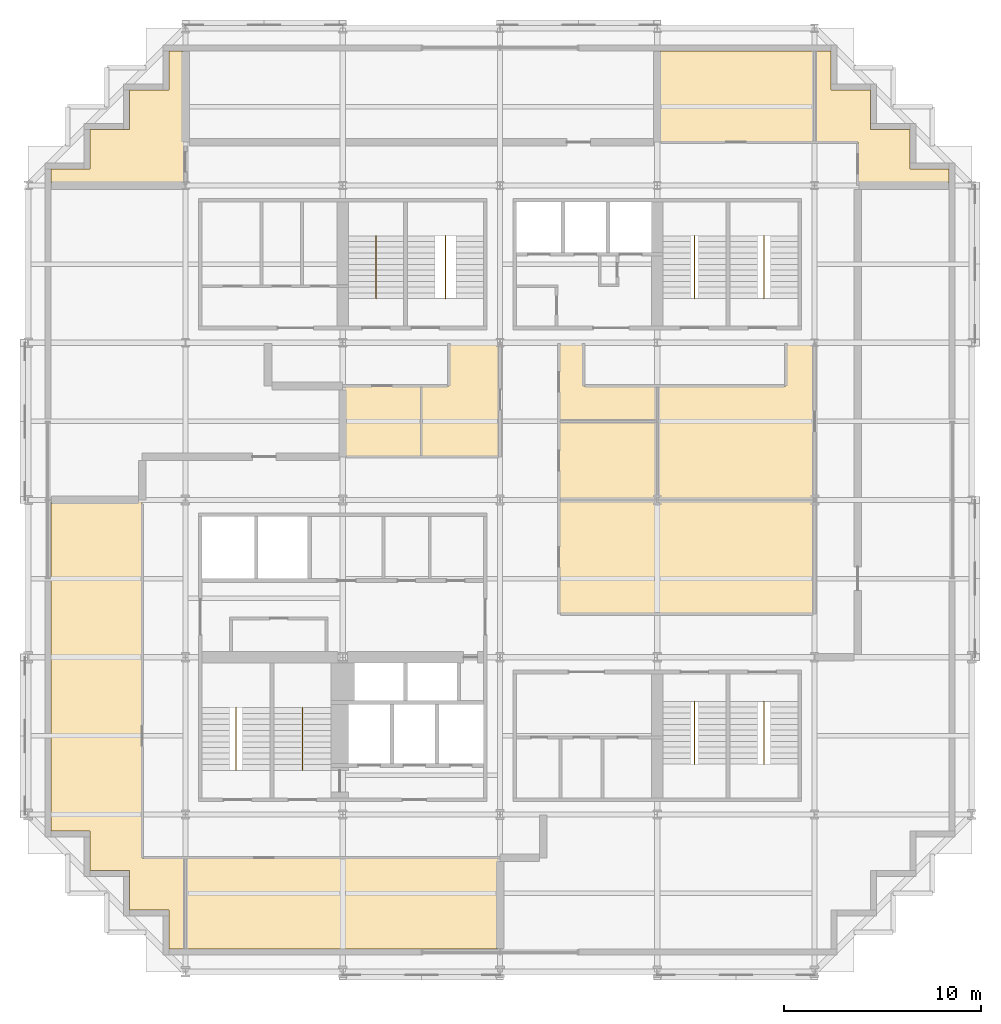
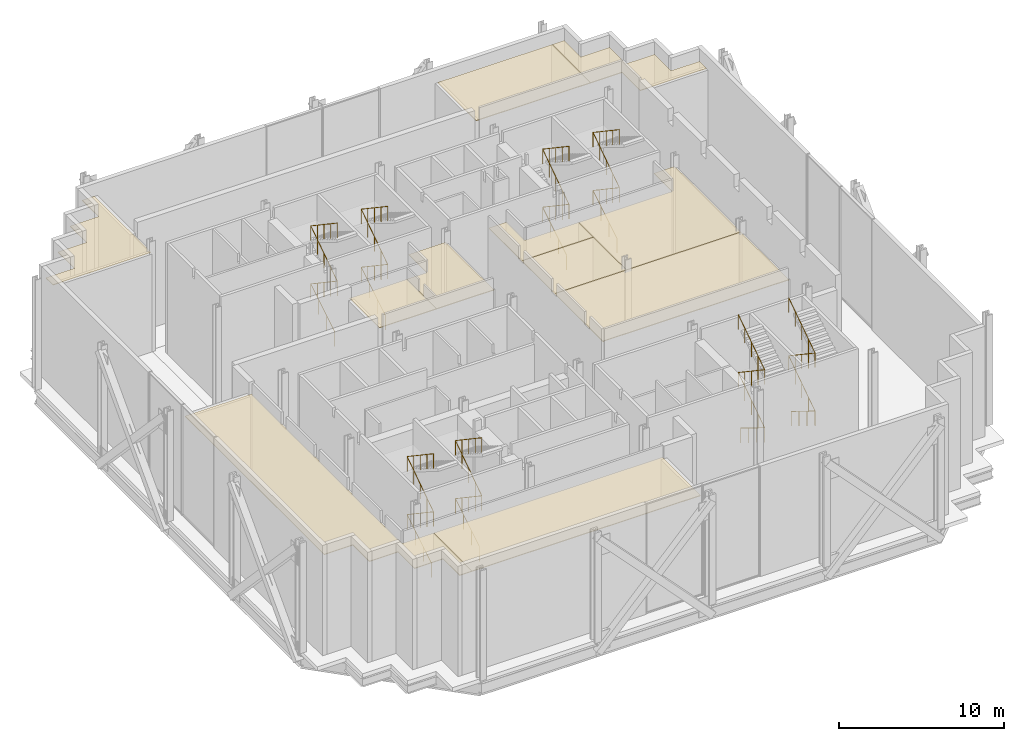
# One storey, part 13 of 13: 11 coverings, 8 railings.
"""IFC4 building model written with IfcOpenShell, lengths in metres."""

from ifc_helpers import new_model, si_unit, direction, frame, origin, origin_2d, place, context, subcontext, project, spatial, polyline, circle, outline, extrude, material, layer, layer_set, type_object, element, save


model = new_model("IFC4")

# Units and contexts
model_context = context("Model", 3, precision=1e-05, world=origin(), true_north=direction((0.0, 1.0)))
body_context = subcontext(model_context, "Body", "Model", "MODEL_VIEW")
ifc_project = project(units=[si_unit("LENGTHUNIT", "METRE"), si_unit("AREAUNIT", "SQUARE_METRE"), si_unit("VOLUMEUNIT", "CUBIC_METRE"), si_unit("PLANEANGLEUNIT", "RADIAN"), si_unit("MASSUNIT", "GRAM", prefix="KILO")], contexts=[model_context])

# Site, building, storey
site_placement = place(None, origin())
site = spatial("IfcSite", under=ifc_project, at=site_placement, CompositionType="ELEMENT")
building_placement = place(site_placement, origin())
building = spatial("IfcBuilding", under=site, at=building_placement, Name="Immortelle Media Tower", CompositionType="ELEMENT")
storey_placement = place(building_placement, frame((0.0, 0.0, 21.0)))
storey = spatial("IfcBuildingStorey", under=building, at=storey_placement, Name="L02", CompositionType="ELEMENT", Elevation=21.0)

# Railings
ifc_material_1 = material(Name="Stainless steel AISI 316", Category="steel")
railing_type = type_object("IfcRailingType", Name="Stair guard 1100", PredefinedType="GUARDRAIL", material=ifc_material_1)
railing_1_placement = place(storey_placement, frame((10.574951171875, 10.5400390625, 0.1787109375)))
element("IfcRailing", 1, at=railing_1_placement, inside=storey, type_object=railing_type, Name="Stair guard SW1", PredefinedType="GUARDRAIL", context=body_context, shape_type="SweptSolid", body=[
    extrude(circle(Radius=0.02392578125, at=origin_2d()), frame((0.0, 0.0, 1.076171875), z_axis=(0.0, 0.851291455255, 0.524693108598), x_axis=(-1.0, 0.0, 0.0)), (0.0, 0.0, 1.0), 3.406494140625),
    extrude(circle(Radius=0.02392578125, at=origin_2d()), frame((0.0, 2.89990234375, 2.86328125), z_axis=(0.0, -0.82989428836, 0.557920666536), x_axis=(1.0, 0.0, 0.0)), (0.0, 0.0, 1.0), 3.84375),
    extrude(circle(Radius=0.02392578125, at=origin_2d()), frame((0.0, -0.2900390625, 5.0078125), z_axis=(0.0, 0.829864879582, 0.557964408934), x_axis=(-1.0, 0.0, 0.0)), (0.0, 0.0, 1.0), 3.843994140625),
    extrude(circle(Radius=0.02392578125, at=origin_2d()), frame((0.0, 2.89990234375, 7.15283203125), z_axis=(0.0, -0.82989428836, 0.557920666536), x_axis=(1.0, 0.0, 0.0)), (0.0, 0.0, 1.0), 3.84375),
    extrude(circle(Radius=0.02099609375, at=origin_2d()), origin(), (0.0, 0.0, 1.0), 1.052001953125),
    extrude(circle(Radius=0.02099609375, at=origin_2d()), frame((0.0, 0.966552734375, 0.595703125)), (0.0, 0.0, 1.0), 1.052001953125),
    extrude(circle(Radius=0.02099609375, at=origin_2d()), frame((0.0, 1.933349609375, 1.191650390625)), (0.0, 0.0, 1.0), 1.052001953125),
    extrude(circle(Radius=0.02099609375, at=origin_2d()), frame((0.0, 2.89990234375, 1.787353515625)), (0.0, 0.0, 1.0), 1.052001953125),
    extrude(circle(Radius=0.02099609375, at=origin_2d()), frame((0.0, 2.1025390625, 2.323486328125)), (0.0, 0.0, 1.0), 1.052001953125),
    extrude(circle(Radius=0.02099609375, at=origin_2d()), frame((0.0, 1.304931640625, 2.859619140625)), (0.0, 0.0, 1.0), 1.052001953125),
    extrude(circle(Radius=0.02099609375, at=origin_2d()), frame((0.0, 0.50732421875, 3.395751953125)), (0.0, 0.0, 1.0), 1.052001953125),
    extrude(circle(Radius=0.02099609375, at=origin_2d()), frame((0.0, -0.2900390625, 3.931884765625)), (0.0, 0.0, 1.0), 1.052001953125),
    extrude(circle(Radius=0.02099609375, at=origin_2d()), frame((0.0, 0.50732421875, 4.468017578125)), (0.0, 0.0, 1.0), 1.052001953125),
    extrude(circle(Radius=0.02099609375, at=origin_2d()), frame((0.0, 1.304931640625, 5.00439453125)), (0.0, 0.0, 1.0), 1.052001953125),
    extrude(circle(Radius=0.02099609375, at=origin_2d()), frame((0.0, 2.1025390625, 5.54052734375)), (0.0, 0.0, 1.0), 1.052001953125),
    extrude(circle(Radius=0.02099609375, at=origin_2d()), frame((0.0, 2.89990234375, 6.07666015625)), (0.0, 0.0, 1.0), 1.052001953125),
    extrude(circle(Radius=0.02099609375, at=origin_2d()), frame((0.0, 2.1025390625, 6.61279296875)), (0.0, 0.0, 1.0), 1.052001953125),
    extrude(circle(Radius=0.02099609375, at=origin_2d()), frame((0.0, 1.304931640625, 7.14892578125)), (0.0, 0.0, 1.0), 1.052001953125),
    extrude(circle(Radius=0.02099609375, at=origin_2d()), frame((0.0, 0.50732421875, 7.68505859375)), (0.0, 0.0, 1.0), 1.052001953125),
    extrude(circle(Radius=0.02099609375, at=origin_2d()), frame((0.0, -0.2900390625, 8.22119140625)), (0.0, 0.0, 1.0), 1.052001953125),
])
railing_2_placement = place(storey_placement, frame((13.949951171875, 10.5400390625, 0.1787109375)))
element("IfcRailing", 2, at=railing_2_placement, inside=storey, type_object=railing_type, Name="Stair guard SW2", PredefinedType="GUARDRAIL", context=body_context, shape_type="SweptSolid", body=[
    extrude(circle(Radius=0.02392578125, at=origin_2d()), frame((0.0, 0.0, 1.076171875), z_axis=(0.0, 0.851291455255, 0.524693108598), x_axis=(-1.0, 0.0, 0.0)), (0.0, 0.0, 1.0), 3.406494140625),
    extrude(circle(Radius=0.02392578125, at=origin_2d()), frame((0.0, 2.89990234375, 2.86328125), z_axis=(0.0, -0.82989428836, 0.557920666536), x_axis=(1.0, 0.0, 0.0)), (0.0, 0.0, 1.0), 3.84375),
    extrude(circle(Radius=0.02392578125, at=origin_2d()), frame((0.0, -0.2900390625, 5.0078125), z_axis=(0.0, 0.829864879582, 0.557964408934), x_axis=(-1.0, 0.0, 0.0)), (0.0, 0.0, 1.0), 3.843994140625),
    extrude(circle(Radius=0.02392578125, at=origin_2d()), frame((0.0, 2.89990234375, 7.15283203125), z_axis=(0.0, -0.82989428836, 0.557920666536), x_axis=(1.0, 0.0, 0.0)), (0.0, 0.0, 1.0), 3.84375),
    extrude(circle(Radius=0.02099609375, at=origin_2d()), origin(), (0.0, 0.0, 1.0), 1.052001953125),
    extrude(circle(Radius=0.02099609375, at=origin_2d()), frame((0.0, 0.966552734375, 0.595703125)), (0.0, 0.0, 1.0), 1.052001953125),
    extrude(circle(Radius=0.02099609375, at=origin_2d()), frame((0.0, 1.933349609375, 1.191650390625)), (0.0, 0.0, 1.0), 1.052001953125),
    extrude(circle(Radius=0.02099609375, at=origin_2d()), frame((0.0, 2.89990234375, 1.787353515625)), (0.0, 0.0, 1.0), 1.052001953125),
    extrude(circle(Radius=0.02099609375, at=origin_2d()), frame((0.0, 2.1025390625, 2.323486328125)), (0.0, 0.0, 1.0), 1.052001953125),
    extrude(circle(Radius=0.02099609375, at=origin_2d()), frame((0.0, 1.304931640625, 2.859619140625)), (0.0, 0.0, 1.0), 1.052001953125),
    extrude(circle(Radius=0.02099609375, at=origin_2d()), frame((0.0, 0.50732421875, 3.395751953125)), (0.0, 0.0, 1.0), 1.052001953125),
    extrude(circle(Radius=0.02099609375, at=origin_2d()), frame((0.0, -0.2900390625, 3.931884765625)), (0.0, 0.0, 1.0), 1.052001953125),
    extrude(circle(Radius=0.02099609375, at=origin_2d()), frame((0.0, 0.50732421875, 4.468017578125)), (0.0, 0.0, 1.0), 1.052001953125),
    extrude(circle(Radius=0.02099609375, at=origin_2d()), frame((0.0, 1.304931640625, 5.00439453125)), (0.0, 0.0, 1.0), 1.052001953125),
    extrude(circle(Radius=0.02099609375, at=origin_2d()), frame((0.0, 2.1025390625, 5.54052734375)), (0.0, 0.0, 1.0), 1.052001953125),
    extrude(circle(Radius=0.02099609375, at=origin_2d()), frame((0.0, 2.89990234375, 6.07666015625)), (0.0, 0.0, 1.0), 1.052001953125),
    extrude(circle(Radius=0.02099609375, at=origin_2d()), frame((0.0, 2.1025390625, 6.61279296875)), (0.0, 0.0, 1.0), 1.052001953125),
    extrude(circle(Radius=0.02099609375, at=origin_2d()), frame((0.0, 1.304931640625, 7.14892578125)), (0.0, 0.0, 1.0), 1.052001953125),
    extrude(circle(Radius=0.02099609375, at=origin_2d()), frame((0.0, 0.50732421875, 7.68505859375)), (0.0, 0.0, 1.0), 1.052001953125),
    extrude(circle(Radius=0.02099609375, at=origin_2d()), frame((0.0, -0.2900390625, 8.22119140625)), (0.0, 0.0, 1.0), 1.052001953125),
])
railing_3_placement = place(storey_placement, frame((33.89990234375, 13.4599609375, 0.1787109375)))
element("IfcRailing", 3, at=railing_3_placement, inside=storey, type_object=railing_type, Name="Stair guard SE1", PredefinedType="GUARDRAIL", context=body_context, shape_type="SweptSolid", body=[
    extrude(circle(Radius=0.02392578125, at=origin_2d()), frame((0.0, 0.0, 1.076171875), z_axis=(0.0, -0.851291455255, 0.524693108598), x_axis=(1.0, 0.0, 0.0)), (0.0, 0.0, 1.0), 3.406494140625),
    extrude(circle(Radius=0.02392578125, at=origin_2d()), frame((0.0, -2.89990234375, 2.86328125), z_axis=(0.0, 0.82989428836, 0.557920666536), x_axis=(-1.0, 0.0, 0.0)), (0.0, 0.0, 1.0), 3.84375),
    extrude(circle(Radius=0.02392578125, at=origin_2d()), frame((0.0, 0.2900390625, 5.0078125), z_axis=(0.0, -0.829864879582, 0.557964408934), x_axis=(1.0, 0.0, 0.0)), (0.0, 0.0, 1.0), 3.843994140625),
    extrude(circle(Radius=0.02392578125, at=origin_2d()), frame((0.0, -2.89990234375, 7.15283203125), z_axis=(0.0, 0.82989428836, 0.557920666536), x_axis=(-1.0, 0.0, 0.0)), (0.0, 0.0, 1.0), 3.84375),
    extrude(circle(Radius=0.02099609375, at=origin_2d()), origin(), (0.0, 0.0, 1.0), 1.052001953125),
    extrude(circle(Radius=0.02099609375, at=origin_2d()), frame((0.0, -0.966552734375, 0.595703125)), (0.0, 0.0, 1.0), 1.052001953125),
    extrude(circle(Radius=0.02099609375, at=origin_2d()), frame((0.0, -1.933349609375, 1.191650390625)), (0.0, 0.0, 1.0), 1.052001953125),
    extrude(circle(Radius=0.02099609375, at=origin_2d()), frame((0.0, -2.89990234375, 1.787353515625)), (0.0, 0.0, 1.0), 1.052001953125),
    extrude(circle(Radius=0.02099609375, at=origin_2d()), frame((0.0, -2.1025390625, 2.323486328125)), (0.0, 0.0, 1.0), 1.052001953125),
    extrude(circle(Radius=0.02099609375, at=origin_2d()), frame((0.0, -1.304931640625, 2.859619140625)), (0.0, 0.0, 1.0), 1.052001953125),
    extrude(circle(Radius=0.02099609375, at=origin_2d()), frame((0.0, -0.50732421875, 3.395751953125)), (0.0, 0.0, 1.0), 1.052001953125),
    extrude(circle(Radius=0.02099609375, at=origin_2d()), frame((0.0, 0.2900390625, 3.931884765625)), (0.0, 0.0, 1.0), 1.052001953125),
    extrude(circle(Radius=0.02099609375, at=origin_2d()), frame((0.0, -0.50732421875, 4.468017578125)), (0.0, 0.0, 1.0), 1.052001953125),
    extrude(circle(Radius=0.02099609375, at=origin_2d()), frame((0.0, -1.304931640625, 5.00439453125)), (0.0, 0.0, 1.0), 1.052001953125),
    extrude(circle(Radius=0.02099609375, at=origin_2d()), frame((0.0, -2.1025390625, 5.54052734375)), (0.0, 0.0, 1.0), 1.052001953125),
    extrude(circle(Radius=0.02099609375, at=origin_2d()), frame((0.0, -2.89990234375, 6.07666015625)), (0.0, 0.0, 1.0), 1.052001953125),
    extrude(circle(Radius=0.02099609375, at=origin_2d()), frame((0.0, -2.1025390625, 6.61279296875)), (0.0, 0.0, 1.0), 1.052001953125),
    extrude(circle(Radius=0.02099609375, at=origin_2d()), frame((0.0, -1.304931640625, 7.14892578125)), (0.0, 0.0, 1.0), 1.052001953125),
    extrude(circle(Radius=0.02099609375, at=origin_2d()), frame((0.0, -0.50732421875, 7.68505859375)), (0.0, 0.0, 1.0), 1.052001953125),
    extrude(circle(Radius=0.02099609375, at=origin_2d()), frame((0.0, 0.2900390625, 8.22119140625)), (0.0, 0.0, 1.0), 1.052001953125),
])
railing_4_placement = place(storey_placement, frame((37.425048828125, 13.4599609375, 0.1787109375)))
element("IfcRailing", 4, at=railing_4_placement, inside=storey, type_object=railing_type, Name="Stair guard SE2", PredefinedType="GUARDRAIL", context=body_context, shape_type="SweptSolid", body=[
    extrude(circle(Radius=0.02392578125, at=origin_2d()), frame((0.0, 0.0, 1.076171875), z_axis=(0.0, -0.851291455255, 0.524693108598), x_axis=(1.0, 0.0, 0.0)), (0.0, 0.0, 1.0), 3.406494140625),
    extrude(circle(Radius=0.02392578125, at=origin_2d()), frame((0.0, -2.89990234375, 2.86328125), z_axis=(0.0, 0.82989428836, 0.557920666536), x_axis=(-1.0, 0.0, 0.0)), (0.0, 0.0, 1.0), 3.84375),
    extrude(circle(Radius=0.02392578125, at=origin_2d()), frame((0.0, 0.2900390625, 5.0078125), z_axis=(0.0, -0.829864879582, 0.557964408934), x_axis=(1.0, 0.0, 0.0)), (0.0, 0.0, 1.0), 3.843994140625),
    extrude(circle(Radius=0.02392578125, at=origin_2d()), frame((0.0, -2.89990234375, 7.15283203125), z_axis=(0.0, 0.82989428836, 0.557920666536), x_axis=(-1.0, 0.0, 0.0)), (0.0, 0.0, 1.0), 3.84375),
    extrude(circle(Radius=0.02099609375, at=origin_2d()), origin(), (0.0, 0.0, 1.0), 1.052001953125),
    extrude(circle(Radius=0.02099609375, at=origin_2d()), frame((0.0, -0.966552734375, 0.595703125)), (0.0, 0.0, 1.0), 1.052001953125),
    extrude(circle(Radius=0.02099609375, at=origin_2d()), frame((0.0, -1.933349609375, 1.191650390625)), (0.0, 0.0, 1.0), 1.052001953125),
    extrude(circle(Radius=0.02099609375, at=origin_2d()), frame((0.0, -2.89990234375, 1.787353515625)), (0.0, 0.0, 1.0), 1.052001953125),
    extrude(circle(Radius=0.02099609375, at=origin_2d()), frame((0.0, -2.1025390625, 2.323486328125)), (0.0, 0.0, 1.0), 1.052001953125),
    extrude(circle(Radius=0.02099609375, at=origin_2d()), frame((0.0, -1.304931640625, 2.859619140625)), (0.0, 0.0, 1.0), 1.052001953125),
    extrude(circle(Radius=0.02099609375, at=origin_2d()), frame((0.0, -0.50732421875, 3.395751953125)), (0.0, 0.0, 1.0), 1.052001953125),
    extrude(circle(Radius=0.02099609375, at=origin_2d()), frame((0.0, 0.2900390625, 3.931884765625)), (0.0, 0.0, 1.0), 1.052001953125),
    extrude(circle(Radius=0.02099609375, at=origin_2d()), frame((0.0, -0.50732421875, 4.468017578125)), (0.0, 0.0, 1.0), 1.052001953125),
    extrude(circle(Radius=0.02099609375, at=origin_2d()), frame((0.0, -1.304931640625, 5.00439453125)), (0.0, 0.0, 1.0), 1.052001953125),
    extrude(circle(Radius=0.02099609375, at=origin_2d()), frame((0.0, -2.1025390625, 5.54052734375)), (0.0, 0.0, 1.0), 1.052001953125),
    extrude(circle(Radius=0.02099609375, at=origin_2d()), frame((0.0, -2.89990234375, 6.07666015625)), (0.0, 0.0, 1.0), 1.052001953125),
    extrude(circle(Radius=0.02099609375, at=origin_2d()), frame((0.0, -2.1025390625, 6.61279296875)), (0.0, 0.0, 1.0), 1.052001953125),
    extrude(circle(Radius=0.02099609375, at=origin_2d()), frame((0.0, -1.304931640625, 7.14892578125)), (0.0, 0.0, 1.0), 1.052001953125),
    extrude(circle(Radius=0.02099609375, at=origin_2d()), frame((0.0, -0.50732421875, 7.68505859375)), (0.0, 0.0, 1.0), 1.052001953125),
    extrude(circle(Radius=0.02099609375, at=origin_2d()), frame((0.0, 0.2900390625, 8.22119140625)), (0.0, 0.0, 1.0), 1.052001953125),
])
railing_5_placement = place(storey_placement, frame((17.699951171875, 34.5400390625, 0.1787109375)))
element("IfcRailing", 5, at=railing_5_placement, inside=storey, type_object=railing_type, Name="Stair guard NW1", PredefinedType="GUARDRAIL", context=body_context, shape_type="SweptSolid", body=[
    extrude(circle(Radius=0.02392578125, at=origin_2d()), frame((0.0, 0.0, 1.076171875), z_axis=(0.0, 0.851291455255, 0.524693108598), x_axis=(-1.0, 0.0, 0.0)), (0.0, 0.0, 1.0), 3.406494140625),
    extrude(circle(Radius=0.02392578125, at=origin_2d()), frame((0.0, 2.89990234375, 2.86328125), z_axis=(0.0, -0.82989428836, 0.557920666536), x_axis=(1.0, 0.0, 0.0)), (0.0, 0.0, 1.0), 3.84375),
    extrude(circle(Radius=0.02392578125, at=origin_2d()), frame((0.0, -0.2900390625, 5.0078125), z_axis=(0.0, 0.829864879582, 0.557964408934), x_axis=(-1.0, 0.0, 0.0)), (0.0, 0.0, 1.0), 3.843994140625),
    extrude(circle(Radius=0.02392578125, at=origin_2d()), frame((0.0, 2.89990234375, 7.15283203125), z_axis=(0.0, -0.82989428836, 0.557920666536), x_axis=(1.0, 0.0, 0.0)), (0.0, 0.0, 1.0), 3.84375),
    extrude(circle(Radius=0.02099609375, at=origin_2d()), origin(), (0.0, 0.0, 1.0), 1.052001953125),
    extrude(circle(Radius=0.02099609375, at=origin_2d()), frame((0.0, 0.966552734375, 0.595703125)), (0.0, 0.0, 1.0), 1.052001953125),
    extrude(circle(Radius=0.02099609375, at=origin_2d()), frame((0.0, 1.933349609375, 1.191650390625)), (0.0, 0.0, 1.0), 1.052001953125),
    extrude(circle(Radius=0.02099609375, at=origin_2d()), frame((0.0, 2.89990234375, 1.787353515625)), (0.0, 0.0, 1.0), 1.052001953125),
    extrude(circle(Radius=0.02099609375, at=origin_2d()), frame((0.0, 2.1025390625, 2.323486328125)), (0.0, 0.0, 1.0), 1.052001953125),
    extrude(circle(Radius=0.02099609375, at=origin_2d()), frame((0.0, 1.304931640625, 2.859619140625)), (0.0, 0.0, 1.0), 1.052001953125),
    extrude(circle(Radius=0.02099609375, at=origin_2d()), frame((0.0, 0.50732421875, 3.395751953125)), (0.0, 0.0, 1.0), 1.052001953125),
    extrude(circle(Radius=0.02099609375, at=origin_2d()), frame((0.0, -0.2900390625, 3.931884765625)), (0.0, 0.0, 1.0), 1.052001953125),
    extrude(circle(Radius=0.02099609375, at=origin_2d()), frame((0.0, 0.50732421875, 4.468017578125)), (0.0, 0.0, 1.0), 1.052001953125),
    extrude(circle(Radius=0.02099609375, at=origin_2d()), frame((0.0, 1.304931640625, 5.00439453125)), (0.0, 0.0, 1.0), 1.052001953125),
    extrude(circle(Radius=0.02099609375, at=origin_2d()), frame((0.0, 2.1025390625, 5.54052734375)), (0.0, 0.0, 1.0), 1.052001953125),
    extrude(circle(Radius=0.02099609375, at=origin_2d()), frame((0.0, 2.89990234375, 6.07666015625)), (0.0, 0.0, 1.0), 1.052001953125),
    extrude(circle(Radius=0.02099609375, at=origin_2d()), frame((0.0, 2.1025390625, 6.61279296875)), (0.0, 0.0, 1.0), 1.052001953125),
    extrude(circle(Radius=0.02099609375, at=origin_2d()), frame((0.0, 1.304931640625, 7.14892578125)), (0.0, 0.0, 1.0), 1.052001953125),
    extrude(circle(Radius=0.02099609375, at=origin_2d()), frame((0.0, 0.50732421875, 7.68505859375)), (0.0, 0.0, 1.0), 1.052001953125),
    extrude(circle(Radius=0.02099609375, at=origin_2d()), frame((0.0, -0.2900390625, 8.22119140625)), (0.0, 0.0, 1.0), 1.052001953125),
])
railing_6_placement = place(storey_placement, frame((21.22509765625, 34.5400390625, 0.1787109375)))
element("IfcRailing", 6, at=railing_6_placement, inside=storey, type_object=railing_type, Name="Stair guard NW2", PredefinedType="GUARDRAIL", context=body_context, shape_type="SweptSolid", body=[
    extrude(circle(Radius=0.02392578125, at=origin_2d()), frame((0.0, 0.0, 1.076171875), z_axis=(0.0, 0.851291455255, 0.524693108598), x_axis=(-1.0, 0.0, 0.0)), (0.0, 0.0, 1.0), 3.406494140625),
    extrude(circle(Radius=0.02392578125, at=origin_2d()), frame((0.0, 2.89990234375, 2.86328125), z_axis=(0.0, -0.82989428836, 0.557920666536), x_axis=(1.0, 0.0, 0.0)), (0.0, 0.0, 1.0), 3.84375),
    extrude(circle(Radius=0.02392578125, at=origin_2d()), frame((0.0, -0.2900390625, 5.0078125), z_axis=(0.0, 0.829864879582, 0.557964408934), x_axis=(-1.0, 0.0, 0.0)), (0.0, 0.0, 1.0), 3.843994140625),
    extrude(circle(Radius=0.02392578125, at=origin_2d()), frame((0.0, 2.89990234375, 7.15283203125), z_axis=(0.0, -0.82989428836, 0.557920666536), x_axis=(1.0, 0.0, 0.0)), (0.0, 0.0, 1.0), 3.84375),
    extrude(circle(Radius=0.02099609375, at=origin_2d()), origin(), (0.0, 0.0, 1.0), 1.052001953125),
    extrude(circle(Radius=0.02099609375, at=origin_2d()), frame((0.0, 0.966552734375, 0.595703125)), (0.0, 0.0, 1.0), 1.052001953125),
    extrude(circle(Radius=0.02099609375, at=origin_2d()), frame((0.0, 1.933349609375, 1.191650390625)), (0.0, 0.0, 1.0), 1.052001953125),
    extrude(circle(Radius=0.02099609375, at=origin_2d()), frame((0.0, 2.89990234375, 1.787353515625)), (0.0, 0.0, 1.0), 1.052001953125),
    extrude(circle(Radius=0.02099609375, at=origin_2d()), frame((0.0, 2.1025390625, 2.323486328125)), (0.0, 0.0, 1.0), 1.052001953125),
    extrude(circle(Radius=0.02099609375, at=origin_2d()), frame((0.0, 1.304931640625, 2.859619140625)), (0.0, 0.0, 1.0), 1.052001953125),
    extrude(circle(Radius=0.02099609375, at=origin_2d()), frame((0.0, 0.50732421875, 3.395751953125)), (0.0, 0.0, 1.0), 1.052001953125),
    extrude(circle(Radius=0.02099609375, at=origin_2d()), frame((0.0, -0.2900390625, 3.931884765625)), (0.0, 0.0, 1.0), 1.052001953125),
    extrude(circle(Radius=0.02099609375, at=origin_2d()), frame((0.0, 0.50732421875, 4.468017578125)), (0.0, 0.0, 1.0), 1.052001953125),
    extrude(circle(Radius=0.02099609375, at=origin_2d()), frame((0.0, 1.304931640625, 5.00439453125)), (0.0, 0.0, 1.0), 1.052001953125),
    extrude(circle(Radius=0.02099609375, at=origin_2d()), frame((0.0, 2.1025390625, 5.54052734375)), (0.0, 0.0, 1.0), 1.052001953125),
    extrude(circle(Radius=0.02099609375, at=origin_2d()), frame((0.0, 2.89990234375, 6.07666015625)), (0.0, 0.0, 1.0), 1.052001953125),
    extrude(circle(Radius=0.02099609375, at=origin_2d()), frame((0.0, 2.1025390625, 6.61279296875)), (0.0, 0.0, 1.0), 1.052001953125),
    extrude(circle(Radius=0.02099609375, at=origin_2d()), frame((0.0, 1.304931640625, 7.14892578125)), (0.0, 0.0, 1.0), 1.052001953125),
    extrude(circle(Radius=0.02099609375, at=origin_2d()), frame((0.0, 0.50732421875, 7.68505859375)), (0.0, 0.0, 1.0), 1.052001953125),
    extrude(circle(Radius=0.02099609375, at=origin_2d()), frame((0.0, -0.2900390625, 8.22119140625)), (0.0, 0.0, 1.0), 1.052001953125),
])
railing_7_placement = place(storey_placement, frame((33.89990234375, 34.5400390625, 0.1787109375)))
element("IfcRailing", 7, at=railing_7_placement, inside=storey, type_object=railing_type, Name="Stair guard NE1", PredefinedType="GUARDRAIL", context=body_context, shape_type="SweptSolid", body=[
    extrude(circle(Radius=0.02392578125, at=origin_2d()), frame((0.0, 0.0, 1.076171875), z_axis=(0.0, 0.851291455255, 0.524693108598), x_axis=(-1.0, 0.0, 0.0)), (0.0, 0.0, 1.0), 3.406494140625),
    extrude(circle(Radius=0.02392578125, at=origin_2d()), frame((0.0, 2.89990234375, 2.86328125), z_axis=(0.0, -0.82989428836, 0.557920666536), x_axis=(1.0, 0.0, 0.0)), (0.0, 0.0, 1.0), 3.84375),
    extrude(circle(Radius=0.02392578125, at=origin_2d()), frame((0.0, -0.2900390625, 5.0078125), z_axis=(0.0, 0.829864879582, 0.557964408934), x_axis=(-1.0, 0.0, 0.0)), (0.0, 0.0, 1.0), 3.843994140625),
    extrude(circle(Radius=0.02392578125, at=origin_2d()), frame((0.0, 2.89990234375, 7.15283203125), z_axis=(0.0, -0.82989428836, 0.557920666536), x_axis=(1.0, 0.0, 0.0)), (0.0, 0.0, 1.0), 3.84375),
    extrude(circle(Radius=0.02099609375, at=origin_2d()), origin(), (0.0, 0.0, 1.0), 1.052001953125),
    extrude(circle(Radius=0.02099609375, at=origin_2d()), frame((0.0, 0.966552734375, 0.595703125)), (0.0, 0.0, 1.0), 1.052001953125),
    extrude(circle(Radius=0.02099609375, at=origin_2d()), frame((0.0, 1.933349609375, 1.191650390625)), (0.0, 0.0, 1.0), 1.052001953125),
    extrude(circle(Radius=0.02099609375, at=origin_2d()), frame((0.0, 2.89990234375, 1.787353515625)), (0.0, 0.0, 1.0), 1.052001953125),
    extrude(circle(Radius=0.02099609375, at=origin_2d()), frame((0.0, 2.1025390625, 2.323486328125)), (0.0, 0.0, 1.0), 1.052001953125),
    extrude(circle(Radius=0.02099609375, at=origin_2d()), frame((0.0, 1.304931640625, 2.859619140625)), (0.0, 0.0, 1.0), 1.052001953125),
    extrude(circle(Radius=0.02099609375, at=origin_2d()), frame((0.0, 0.50732421875, 3.395751953125)), (0.0, 0.0, 1.0), 1.052001953125),
    extrude(circle(Radius=0.02099609375, at=origin_2d()), frame((0.0, -0.2900390625, 3.931884765625)), (0.0, 0.0, 1.0), 1.052001953125),
    extrude(circle(Radius=0.02099609375, at=origin_2d()), frame((0.0, 0.50732421875, 4.468017578125)), (0.0, 0.0, 1.0), 1.052001953125),
    extrude(circle(Radius=0.02099609375, at=origin_2d()), frame((0.0, 1.304931640625, 5.00439453125)), (0.0, 0.0, 1.0), 1.052001953125),
    extrude(circle(Radius=0.02099609375, at=origin_2d()), frame((0.0, 2.1025390625, 5.54052734375)), (0.0, 0.0, 1.0), 1.052001953125),
    extrude(circle(Radius=0.02099609375, at=origin_2d()), frame((0.0, 2.89990234375, 6.07666015625)), (0.0, 0.0, 1.0), 1.052001953125),
    extrude(circle(Radius=0.02099609375, at=origin_2d()), frame((0.0, 2.1025390625, 6.61279296875)), (0.0, 0.0, 1.0), 1.052001953125),
    extrude(circle(Radius=0.02099609375, at=origin_2d()), frame((0.0, 1.304931640625, 7.14892578125)), (0.0, 0.0, 1.0), 1.052001953125),
    extrude(circle(Radius=0.02099609375, at=origin_2d()), frame((0.0, 0.50732421875, 7.68505859375)), (0.0, 0.0, 1.0), 1.052001953125),
    extrude(circle(Radius=0.02099609375, at=origin_2d()), frame((0.0, -0.2900390625, 8.22119140625)), (0.0, 0.0, 1.0), 1.052001953125),
])
railing_8_placement = place(storey_placement, frame((37.425048828125, 34.5400390625, 0.1787109375)))
element("IfcRailing", 8, at=railing_8_placement, inside=storey, type_object=railing_type, Name="Stair guard NE2", PredefinedType="GUARDRAIL", context=body_context, shape_type="SweptSolid", body=[
    extrude(circle(Radius=0.02392578125, at=origin_2d()), frame((0.0, 0.0, 1.076171875), z_axis=(0.0, 0.851291455255, 0.524693108598), x_axis=(-1.0, 0.0, 0.0)), (0.0, 0.0, 1.0), 3.406494140625),
    extrude(circle(Radius=0.02392578125, at=origin_2d()), frame((0.0, 2.89990234375, 2.86328125), z_axis=(0.0, -0.82989428836, 0.557920666536), x_axis=(1.0, 0.0, 0.0)), (0.0, 0.0, 1.0), 3.84375),
    extrude(circle(Radius=0.02392578125, at=origin_2d()), frame((0.0, -0.2900390625, 5.0078125), z_axis=(0.0, 0.829864879582, 0.557964408934), x_axis=(-1.0, 0.0, 0.0)), (0.0, 0.0, 1.0), 3.843994140625),
    extrude(circle(Radius=0.02392578125, at=origin_2d()), frame((0.0, 2.89990234375, 7.15283203125), z_axis=(0.0, -0.82989428836, 0.557920666536), x_axis=(1.0, 0.0, 0.0)), (0.0, 0.0, 1.0), 3.84375),
    extrude(circle(Radius=0.02099609375, at=origin_2d()), origin(), (0.0, 0.0, 1.0), 1.052001953125),
    extrude(circle(Radius=0.02099609375, at=origin_2d()), frame((0.0, 0.966552734375, 0.595703125)), (0.0, 0.0, 1.0), 1.052001953125),
    extrude(circle(Radius=0.02099609375, at=origin_2d()), frame((0.0, 1.933349609375, 1.191650390625)), (0.0, 0.0, 1.0), 1.052001953125),
    extrude(circle(Radius=0.02099609375, at=origin_2d()), frame((0.0, 2.89990234375, 1.787353515625)), (0.0, 0.0, 1.0), 1.052001953125),
    extrude(circle(Radius=0.02099609375, at=origin_2d()), frame((0.0, 2.1025390625, 2.323486328125)), (0.0, 0.0, 1.0), 1.052001953125),
    extrude(circle(Radius=0.02099609375, at=origin_2d()), frame((0.0, 1.304931640625, 2.859619140625)), (0.0, 0.0, 1.0), 1.052001953125),
    extrude(circle(Radius=0.02099609375, at=origin_2d()), frame((0.0, 0.50732421875, 3.395751953125)), (0.0, 0.0, 1.0), 1.052001953125),
    extrude(circle(Radius=0.02099609375, at=origin_2d()), frame((0.0, -0.2900390625, 3.931884765625)), (0.0, 0.0, 1.0), 1.052001953125),
    extrude(circle(Radius=0.02099609375, at=origin_2d()), frame((0.0, 0.50732421875, 4.468017578125)), (0.0, 0.0, 1.0), 1.052001953125),
    extrude(circle(Radius=0.02099609375, at=origin_2d()), frame((0.0, 1.304931640625, 5.00439453125)), (0.0, 0.0, 1.0), 1.052001953125),
    extrude(circle(Radius=0.02099609375, at=origin_2d()), frame((0.0, 2.1025390625, 5.54052734375)), (0.0, 0.0, 1.0), 1.052001953125),
    extrude(circle(Radius=0.02099609375, at=origin_2d()), frame((0.0, 2.89990234375, 6.07666015625)), (0.0, 0.0, 1.0), 1.052001953125),
    extrude(circle(Radius=0.02099609375, at=origin_2d()), frame((0.0, 2.1025390625, 6.61279296875)), (0.0, 0.0, 1.0), 1.052001953125),
    extrude(circle(Radius=0.02099609375, at=origin_2d()), frame((0.0, 1.304931640625, 7.14892578125)), (0.0, 0.0, 1.0), 1.052001953125),
    extrude(circle(Radius=0.02099609375, at=origin_2d()), frame((0.0, 0.50732421875, 7.68505859375)), (0.0, 0.0, 1.0), 1.052001953125),
    extrude(circle(Radius=0.02099609375, at=origin_2d()), frame((0.0, -0.2900390625, 8.22119140625)), (0.0, 0.0, 1.0), 1.052001953125),
])

# Coverings
ifc_material_2 = material(Name="Mineral fibre tile ceiling")
ifc_layer = layer(ifc_material_2, 0.050048828125)
ifc_layer_set = layer_set([ifc_layer], Name="Mineral fibre tile ceiling")
covering_type = type_object("IfcCoveringType", Name="Suspended ceiling 50", PredefinedType="CEILING", material=ifc_layer_set)
covering_1_placement = place(storey_placement, frame((0.0, 0.0, 7.173095703125)))
element("IfcCovering", 9, at=covering_1_placement, inside=storey, type_object=covering_type, Name="Ceiling L02-001", PredefinedType="CEILING", context=body_context, shape_type="SweptSolid", body=[
    extrude(outline(polyline([(8.0, 5.800048828125), (16.0, 5.800048828125), (24.0, 5.800048828125), (24.0, 1.14990234375), (16.0, 1.14990234375), (8.0, 1.14990234375), (8.0, 5.800048828125)])), origin(), (0.0, 0.0, 1.0), 0.0498046875),
])
covering_2_placement = place(storey_placement, frame((0.0, 0.0, 7.173095703125)))
element("IfcCovering", 10, at=covering_2_placement, inside=storey, type_object=covering_type, Name="Ceiling L02-002", PredefinedType="CEILING", context=body_context, shape_type="SweptSolid", body=[
    extrude(outline(polyline([(8.0, 1.14990234375), (7.14990234375, 1.14990234375), (7.14990234375, 3.14990234375), (5.14990234375, 3.14990234375), (5.14990234375, 4.0), (5.14990234375, 5.14990234375), (3.14990234375, 5.14990234375), (3.14990234375, 7.14990234375), (1.14990234375, 7.14990234375), (1.14990234375, 8.0), (1.14990234375, 16.0), (1.14990234375, 24.0), (5.800048828125, 24.0), (5.800048828125, 19.449951171875), (5.800048828125, 16.0), (5.800048828125, 8.0), (5.800048828125, 5.800048828125), (8.0, 5.800048828125), (8.0, 4.0), (8.0, 1.14990234375)])), origin(), (0.0, 0.0, 1.0), 0.0498046875),
])
covering_3_placement = place(storey_placement, frame((0.0, 0.0, 7.173095703125)))
element("IfcCovering", 11, at=covering_3_placement, inside=storey, type_object=covering_type, Name="Ceiling L02-004", PredefinedType="CEILING", context=body_context, shape_type="SweptSolid", body=[
    extrude(outline(polyline([(27.0, 18.199951171875), (27.0, 24.0), (32.0, 24.0), (40.0, 24.0), (40.0, 18.199951171875), (38.550048828125, 18.199951171875), (36.0, 18.199951171875), (32.0, 18.199951171875), (27.0, 18.199951171875)])), origin(), (0.0, 0.0, 1.0), 0.0498046875),
])
covering_4_placement = place(storey_placement, frame((0.0, 0.0, 7.173095703125)))
element("IfcCovering", 12, at=covering_4_placement, inside=storey, type_object=covering_type, Name="Ceiling L02-005", PredefinedType="CEILING", context=body_context, shape_type="SweptSolid", body=[
    extrude(outline(polyline([(27.0, 28.0), (32.0, 28.0), (32.0, 24.0), (27.0, 24.0), (27.0, 28.0)])), origin(), (0.0, 0.0, 1.0), 0.0498046875),
])
covering_5_placement = place(storey_placement, frame((0.0, 0.0, 7.173095703125)))
element("IfcCovering", 13, at=covering_5_placement, inside=storey, type_object=covering_type, Name="Ceiling L02-006", PredefinedType="CEILING", context=body_context, shape_type="SweptSolid", body=[
    extrude(outline(polyline([(27.0, 32.0), (28.25, 32.0), (28.25, 29.800048828125), (32.0, 29.800048828125), (32.0, 28.0), (27.0, 28.0), (27.0, 32.0)])), origin(), (0.0, 0.0, 1.0), 0.0498046875),
])
covering_6_placement = place(storey_placement, frame((0.0, 0.0, 7.173095703125)))
element("IfcCovering", 14, at=covering_6_placement, inside=storey, type_object=covering_type, Name="Ceiling L02-007", PredefinedType="CEILING", context=body_context, shape_type="SweptSolid", body=[
    extrude(outline(polyline([(32.0, 24.0), (32.0, 29.800048828125), (38.550048828125, 29.800048828125), (38.550048828125, 32.0), (40.0, 32.0), (40.0, 24.0), (32.0, 24.0)])), origin(), (0.0, 0.0, 1.0), 0.0498046875),
])
covering_7_placement = place(storey_placement, frame((0.0, 0.0, 7.173095703125)))
element("IfcCovering", 15, at=covering_7_placement, inside=storey, type_object=covering_type, Name="Ceiling L02-008", PredefinedType="CEILING", context=body_context, shape_type="SweptSolid", body=[
    extrude(outline(polyline([(16.0, 29.800048828125), (20.0, 29.800048828125), (20.0, 26.199951171875), (16.0, 26.199951171875), (16.0, 29.800048828125)])), origin(), (0.0, 0.0, 1.0), 0.0498046875),
])
covering_8_placement = place(storey_placement, frame((0.0, 0.0, 7.173095703125)))
element("IfcCovering", 16, at=covering_8_placement, inside=storey, type_object=covering_type, Name="Ceiling L02-009", PredefinedType="CEILING", context=body_context, shape_type="SweptSolid", body=[
    extrude(outline(polyline([(21.39990234375, 29.800048828125), (21.39990234375, 32.0), (24.0, 32.0), (24.0, 26.199951171875), (20.0, 26.199951171875), (20.0, 29.800048828125), (21.39990234375, 29.800048828125)])), origin(), (0.0, 0.0, 1.0), 0.0498046875),
])
covering_9_placement = place(storey_placement, frame((0.0, 0.0, 7.173095703125)))
element("IfcCovering", 17, at=covering_9_placement, inside=storey, type_object=covering_type, Name="Ceiling L02-011", PredefinedType="CEILING", context=body_context, shape_type="SweptSolid", body=[
    extrude(outline(polyline([(1.14990234375, 40.0), (1.14990234375, 40.85009765625), (3.14990234375, 40.85009765625), (3.14990234375, 42.85009765625), (5.14990234375, 42.85009765625), (5.14990234375, 44.85009765625), (7.14990234375, 44.85009765625), (7.14990234375, 46.85009765625), (8.0, 46.85009765625), (8.0, 42.199951171875), (8.0, 40.0), (1.14990234375, 40.0)])), origin(), (0.0, 0.0, 1.0), 0.0498046875),
])
covering_10_placement = place(storey_placement, frame((0.0, 0.0, 7.173095703125)))
element("IfcCovering", 18, at=covering_10_placement, inside=storey, type_object=covering_type, Name="Ceiling L02-012", PredefinedType="CEILING", context=body_context, shape_type="SweptSolid", body=[
    extrude(outline(polyline([(44.85009765625, 40.85009765625), (46.85009765625, 40.85009765625), (46.85009765625, 40.0), (44.0, 40.0), (42.199951171875, 40.0), (42.199951171875, 42.199951171875), (40.0, 42.199951171875), (40.0, 46.85009765625), (40.85009765625, 46.85009765625), (40.85009765625, 44.85009765625), (42.85009765625, 44.85009765625), (42.85009765625, 42.85009765625), (44.0, 42.85009765625), (44.85009765625, 42.85009765625), (44.85009765625, 40.85009765625)])), origin(), (0.0, 0.0, 1.0), 0.0498046875),
])
covering_11_placement = place(storey_placement, frame((0.0, 0.0, 7.173095703125)))
element("IfcCovering", 19, at=covering_11_placement, inside=storey, type_object=covering_type, Name="Ceiling L02-014", PredefinedType="CEILING", context=body_context, shape_type="SweptSolid", body=[
    extrude(outline(polyline([(32.0, 42.199951171875), (32.0, 46.85009765625), (40.0, 46.85009765625), (40.0, 42.199951171875), (32.0, 42.199951171875)])), origin(), (0.0, 0.0, 1.0), 0.0498046875),
])

save(model, "model.ifc")
